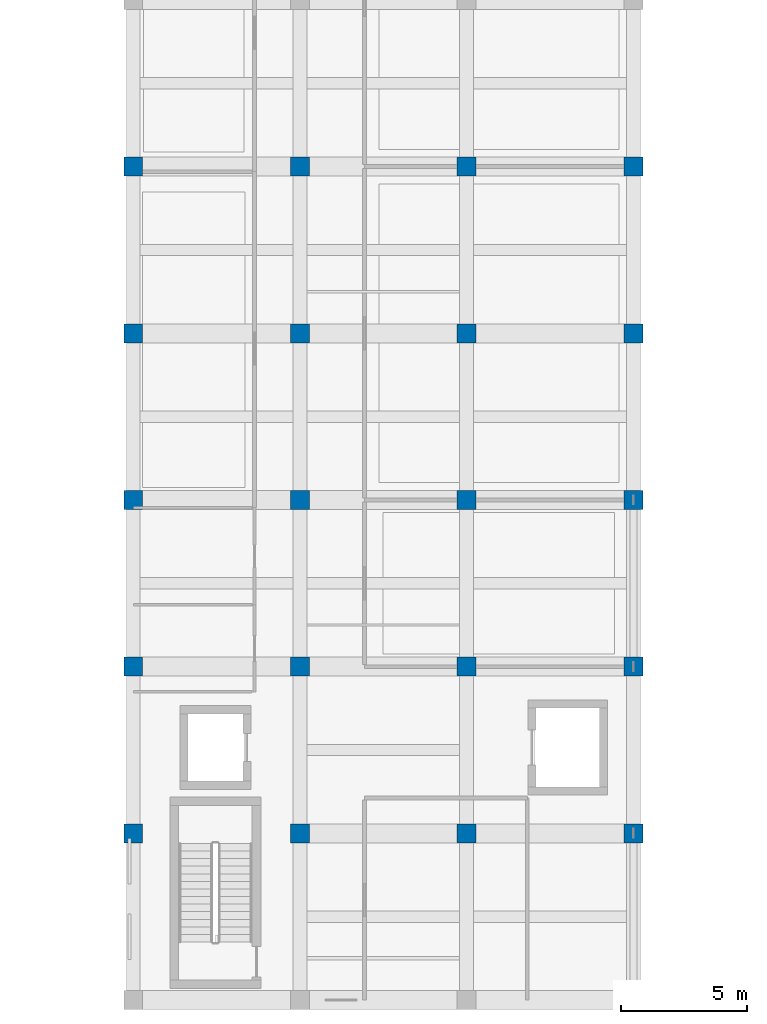
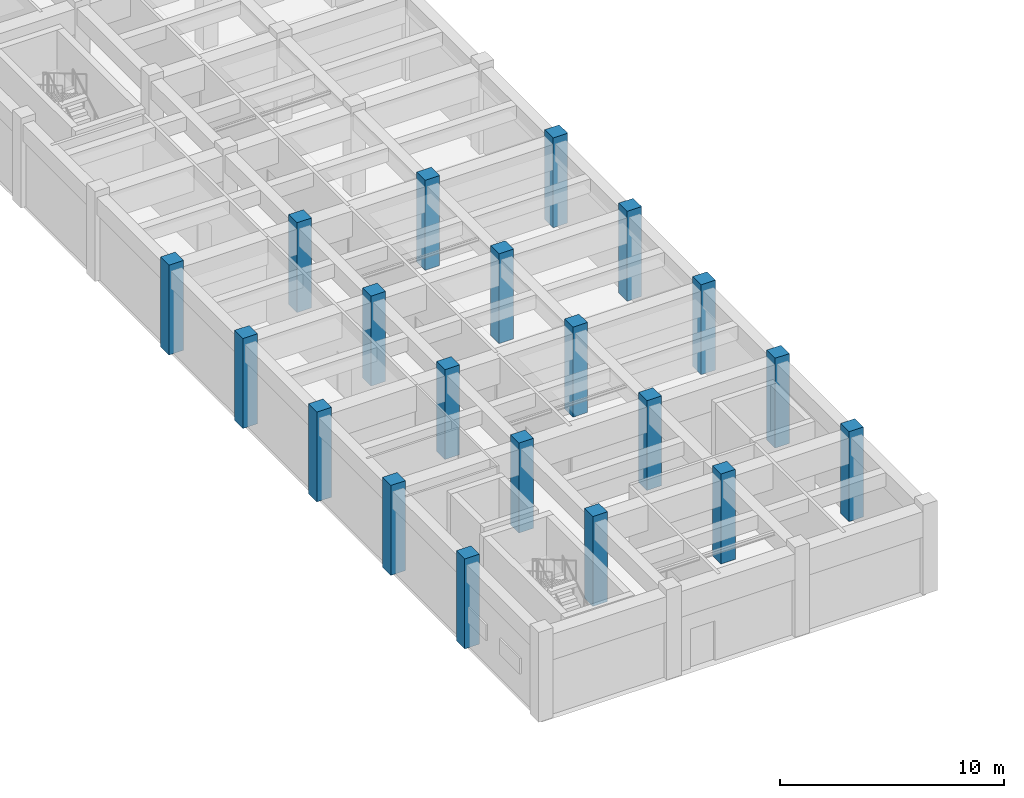
# One storey, part 14 of 144: 20 columns.
"""IFC4 building model written with IfcOpenShell, lengths in metres."""

import ifcopenshell
import ifcopenshell.guid

model = None  # the IFC model being written
_history = None  # IfcOwnerHistory: only IFC2X3 demands one
_inside = {}  # id of a spatial element -> (the spatial element, [elements in it])
_under = {}  # id of a project, library or spatial element -> (it, [spatial elements below it])
_declared = {}  # id of a project -> (the project, [libraries it declares])
_typed = {}  # id of a type object -> (the type object, [elements of that type])
_made_of = {}  # id of a material, layer set ... -> (it, [elements and type objects made of it])


def new_model(schema):
    """Start an empty IFC model of exactly this schema.

    Asked for "IFC4X3", IfcOpenShell would pick the latest addendum, in which some entities
    have other attributes; the version numbers below select the first issue.
    IFC2X3 requires an IfcOwnerHistory on every rooted entity: one is made here for all.
    """
    global model, _history
    if schema == "IFC4X3":
        model = ifcopenshell.file(schema_version=(4, 3, 0, 0))
    else:
        model = ifcopenshell.file(schema=schema)
    _inside.clear()
    _under.clear()
    _declared.clear()
    _typed.clear()
    _made_of.clear()
    _history = None
    if model.schema == "IFC2X3":
        org = make("IfcOrganization", Name="unknown")
        user = make(
            "IfcPersonAndOrganization",
            ThePerson=make("IfcPerson", FamilyName="unknown"),
            TheOrganization=org,
        )
        app = make(
            "IfcApplication",
            ApplicationDeveloper=org,
            Version="unknown",
            ApplicationFullName="unknown",
            ApplicationIdentifier="unknown",
        )
        _history = make(
            "IfcOwnerHistory",
            OwningUser=user,
            OwningApplication=app,
            ChangeAction="ADDED",
            CreationDate=0,
        )
    return model


def make(cls, **values):
    """One entity of the class cls with the attributes given. An attribute that is None is left unset."""
    return model.create_entity(
        cls, **{name: value for name, value in values.items() if value is not None}
    )


def rooted(cls, **values):
    """An entity with a GlobalId (a new one), such as an element, a storey or a relation."""
    return make(cls, GlobalId=ifcopenshell.guid.new(), OwnerHistory=_history, **values)


def si_unit(unit_type, name, prefix=None):
    """IfcSIUnit, for example si_unit("LENGTHUNIT", "METRE", prefix="MILLI")."""
    return make("IfcSIUnit", UnitType=unit_type, Prefix=prefix, Name=name)


def assignment(units):
    """IfcUnitAssignment: the units of a project."""
    return None if units is None else make("IfcUnitAssignment", Units=units)


def point(xyz):
    """IfcCartesianPoint."""
    return None if xyz is None else make("IfcCartesianPoint", Coordinates=xyz)


def direction(xyz):
    """IfcDirection."""
    return None if xyz is None else make("IfcDirection", DirectionRatios=xyz)


def frame(location, z_axis=None, x_axis=None):
    """IfcAxis2Placement3D, a coordinate frame: its origin and axes. An axis left out is left unset."""
    return make(
        "IfcAxis2Placement3D",
        Location=point(location),
        Axis=direction(z_axis),
        RefDirection=direction(x_axis),
    )


def frame_2d(location, x_axis=None):
    """IfcAxis2Placement2D, a coordinate frame in the plane: its origin and x axis."""
    return make(
        "IfcAxis2Placement2D", Location=point(location), RefDirection=direction(x_axis)
    )


def origin():
    """The frame at (0, 0, 0) with its axes left unset."""
    return frame((0.0, 0.0, 0.0))


def origin_2d():
    """The frame at (0, 0) in the plane with its x axis left unset."""
    return frame_2d((0.0, 0.0))


def place(relative_to, where):
    """IfcLocalPlacement: puts the frame where relative to a parent placement (None: the world)."""
    return make(
        "IfcLocalPlacement", PlacementRelTo=relative_to, RelativePlacement=where
    )


def context(
    kind, dimensions, precision=None, world=None, true_north=None, identifier=None
):
    """IfcGeometricRepresentationContext, for example the 3D "Model" context."""
    return make(
        "IfcGeometricRepresentationContext",
        ContextIdentifier=identifier,
        ContextType=kind,
        CoordinateSpaceDimension=dimensions,
        Precision=precision,
        WorldCoordinateSystem=world,
        TrueNorth=true_north,
    )


def subcontext(parent, identifier, kind, view, scale=None):
    """IfcGeometricRepresentationSubContext, for example "Body" below "Model"."""
    return make(
        "IfcGeometricRepresentationSubContext",
        ContextIdentifier=identifier,
        ContextType=kind,
        ParentContext=parent,
        TargetScale=scale,
        TargetView=view,
    )


def project(units=None, contexts=None):
    """IfcProject with its units and contexts."""
    return rooted(
        "IfcProject",
        Name="project",
        RepresentationContexts=contexts,
        UnitsInContext=assignment(units),
    )


def spatial(cls, under=None, at=None, **own):
    """A site, building, storey or space (cls), placed at a placement, below another one or the project."""
    s = rooted(cls, ObjectPlacement=at, **own)
    if under is not None:
        _under.setdefault(under.id(), (under, []))[1].append(s)
    return s


def profile(cls, at=None, kind="AREA", **sizes):
    """A parametric profile (cls). Its sizes go by their IFC names, for example OverallWidth=200.0."""
    return make(cls, ProfileType=kind, Position=at, **sizes)


def rectangle(**sizes):
    """IfcRectangleProfileDef."""
    return profile("IfcRectangleProfileDef", **sizes)


def extrude(swept, where, along, depth):
    """IfcExtrudedAreaSolid: the profile swept, set in the frame where, extruded along a direction by depth."""
    return make(
        "IfcExtrudedAreaSolid",
        SweptArea=swept,
        Position=where,
        ExtrudedDirection=direction(along),
        Depth=depth,
    )


def shape(context_of_items, identifier, shape_type, items):
    """IfcShapeRepresentation: the items that make up one representation, for example the "Body"."""
    return make(
        "IfcShapeRepresentation",
        ContextOfItems=context_of_items,
        RepresentationIdentifier=identifier,
        RepresentationType=shape_type,
        Items=items,
    )


def material(Name=None, Category=None):
    """IfcMaterial."""
    return make("IfcMaterial", Name=Name, Category=Category)


def material_profile(
    of_material, cross_section, Name=None, Category=None, Priority=None
):
    """IfcMaterialProfile: a cross section and its material."""
    return make(
        "IfcMaterialProfile",
        Name=Name,
        Material=of_material,
        Profile=cross_section,
        Priority=Priority,
        Category=Category,
    )


def profile_set(profiles, Name=None, composite=None):
    """IfcMaterialProfileSet."""
    return make(
        "IfcMaterialProfileSet",
        Name=Name,
        MaterialProfiles=profiles,
        CompositeProfile=composite,
    )


def made_of(thing, what):
    """Note that an element or type object is made of a material, layer set ...; save() writes the relation."""
    if what is not None:
        _made_of.setdefault(what.id(), (what, []))[1].append(thing)
    return thing


def type_object(cls, material=None, **own):
    """A type object (cls), such as IfcWallType, which elements share."""
    return made_of(rooted(cls, **own), material)


def element(
    cls,
    number,
    at=None,
    inside=None,
    cuts=None,
    type_object=None,
    material=None,
    context=None,
    identifier="Body",
    shape_type=None,
    held_by="IfcProductDefinitionShape",
    body=None,
    shapes=None,
    **own,
):
    """One element of the class cls, such as IfcWall. Its Tag is "e" and its number.

    at: its placement. inside: the storey or other place that contains it. cuts: it is an
    opening in that element (IfcRelVoidsElement). A single representation is given by context,
    identifier, shape_type and body (its items); several are given by shapes. held_by: the class
    of the entity that holds the representations. save() writes the other relations.
    """
    e = rooted(cls, Tag="e%d" % number, ObjectPlacement=at, **own)
    if body is not None:
        shapes = [shape(context, identifier, shape_type, body)]
    if shapes is not None:
        e.Representation = make(held_by, Representations=shapes)
    if inside is not None:
        _inside.setdefault(inside.id(), (inside, []))[1].append(e)
    if cuts is not None:
        rooted(
            "IfcRelVoidsElement", RelatingBuildingElement=cuts, RelatedOpeningElement=e
        )
    if type_object is not None:
        _typed.setdefault(type_object.id(), (type_object, []))[1].append(e)
    return made_of(e, material)


def aggregate(whole, parts):
    """IfcRelAggregates: a whole, such as a stair, and the parts it consists of."""
    return rooted("IfcRelAggregates", RelatingObject=whole, RelatedObjects=parts)


def save(model, path):
    """Write the relations noted so far, then the file.

    IfcRelAggregates (storeys below a building ...), IfcRelContainedInSpatialStructure (elements
    in a storey), IfcRelDefinesByType, IfcRelAssociatesMaterial and IfcRelDeclares: one each for
    every whole, place, type object, material and project.
    """
    for whole, parts in _under.values():
        aggregate(whole, parts)
    for where, things in _inside.values():
        rooted(
            "IfcRelContainedInSpatialStructure",
            RelatedElements=things,
            RelatingStructure=where,
        )
    for kind, things in _typed.values():
        rooted("IfcRelDefinesByType", RelatedObjects=things, RelatingType=kind)
    for what, things in _made_of.values():
        rooted("IfcRelAssociatesMaterial", RelatedObjects=things, RelatingMaterial=what)
    for by, libraries in _declared.values():
        rooted("IfcRelDeclares", RelatingContext=by, RelatedDefinitions=libraries)
    model.write(path)


model = new_model("IFC4")

# Units and contexts
model_context = context("Model", 3, precision=1e-05, world=origin(), true_north=direction((0.0, 1.0)))
body_context = subcontext(model_context, "Body", "Model", "MODEL_VIEW")
ifc_project = project(units=[si_unit("LENGTHUNIT", "METRE"), si_unit("AREAUNIT", "SQUARE_METRE"), si_unit("VOLUMEUNIT", "CUBIC_METRE"), si_unit("PLANEANGLEUNIT", "RADIAN"), si_unit("MASSUNIT", "GRAM", prefix="KILO")], contexts=[model_context])

# Site, building, storey
site_placement = place(None, origin())
site = spatial("IfcSite", under=ifc_project, at=site_placement, CompositionType="ELEMENT")
building_placement = place(site_placement, origin())
building = spatial("IfcBuilding", under=site, at=building_placement, Name="Karori Crest Natural Sciences Institute", CompositionType="ELEMENT")
storey_placement = place(building_placement, origin())
storey = spatial("IfcBuildingStorey", under=building, at=storey_placement, Name="L00", CompositionType="ELEMENT", Elevation=0.0)

# Columns
ifc_material = material(Name="Concrete 50 MPa", Category="concrete")
ifc_material_profile_1 = material_profile(ifc_material, rectangle(XDim=0.75, YDim=0.75, at=origin_2d()), Name="RC750x750")
ifc_profile_set_1 = profile_set([ifc_material_profile_1], Name="Concrete 50 MPa")
column_type_1 = type_object("IfcColumnType", Name="CT-18", PredefinedType="COLUMN", material=ifc_profile_set_1)
for number, where, z_axis, x_axis, name in (
    (1, (7.39990234375, 101.60009765625, 0.0), (0.0, 0.0, 1.0), (1.0, 0.0, 0.0), "Column C-0718"),
    (2, (7.39990234375, 108.199951171875, 0.0), (0.0, 0.0, 1.0), (1.0, 0.0, 0.0), "Column C-0726"),
    (3, (7.39990234375, 114.800048828125, 0.0), (0.0, 0.0, 1.0), (1.0, 0.0, 0.0), "Column C-0734"),
    (4, (7.39990234375, 121.39990234375, 0.0), (0.0, 0.0, 1.0), (1.0, 0.0, 0.0), "Column C-0742"),
    (5, (7.39990234375, 128.0, 0.0), (0.0, 0.0, 1.0), (1.0, 0.0, 0.0), "Column C-0749"),
    (6, (27.199951171875, 101.60009765625, 0.0), (0.0, 0.0, 1.0), (1.0, 0.0, 0.0), "Column C-0949"),
    (7, (27.199951171875, 108.199951171875, 0.0), (0.0, 0.0, 1.0), (1.0, 0.0, 0.0), "Column C-0957"),
    (8, (27.199951171875, 114.800048828125, 0.0), (0.0, 0.0, 1.0), (1.0, 0.0, 0.0), "Column C-0965"),
    (9, (27.199951171875, 121.39990234375, 0.0), (0.0, 0.0, 1.0), (1.0, 0.0, 0.0), "Column C-0973"),
    (10, (27.199951171875, 128.0, 0.0), (0.0, 0.0, 1.0), (1.0, 0.0, 0.0), "Column C-0980"),
):
    element("IfcColumn", number, at=place(storey_placement, frame(where, z_axis=z_axis, x_axis=x_axis)), inside=storey, type_object=column_type_1, Name=name, PredefinedType="COLUMN", context=body_context, shape_type="SweptSolid", body=[
        extrude(rectangle(XDim=0.75, YDim=0.75, at=origin_2d()), origin(), (0.0, 0.0, 1.0), 4.89990234375),
    ])
ifc_material_profile_2 = material_profile(ifc_material, rectangle(XDim=0.75, YDim=0.75, at=origin_2d()), Name="RC750x750")
ifc_profile_set_2 = profile_set([ifc_material_profile_2], Name="Concrete 50 MPa")
column_type_2 = type_object("IfcColumnType", Name="CT-18-IL", PredefinedType="COLUMN", material=ifc_profile_set_2)
for number, where, z_axis, x_axis, name in (
    (11, (14.0, 101.60009765625, 0.0), (0.0, 0.0, 1.0), (1.0, 0.0, 0.0), "Column C-0795"),
    (12, (14.0, 108.199951171875, 0.0), (0.0, 0.0, 1.0), (1.0, 0.0, 0.0), "Column C-0803"),
    (13, (14.0, 114.800048828125, 0.0), (0.0, 0.0, 1.0), (1.0, 0.0, 0.0), "Column C-0811"),
    (14, (14.0, 121.39990234375, 0.0), (0.0, 0.0, 1.0), (1.0, 0.0, 0.0), "Column C-0819"),
    (15, (14.0, 128.0, 0.0), (0.0, 0.0, 1.0), (1.0, 0.0, 0.0), "Column C-0826"),
    (16, (20.60009765625, 101.60009765625, 0.0), (0.0, 0.0, 1.0), (1.0, 0.0, 0.0), "Column C-0872"),
    (17, (20.60009765625, 108.199951171875, 0.0), (0.0, 0.0, 1.0), (1.0, 0.0, 0.0), "Column C-0880"),
    (18, (20.60009765625, 114.800048828125, 0.0), (0.0, 0.0, 1.0), (1.0, 0.0, 0.0), "Column C-0888"),
    (19, (20.60009765625, 121.39990234375, 0.0), (0.0, 0.0, 1.0), (1.0, 0.0, 0.0), "Column C-0896"),
    (20, (20.60009765625, 128.0, 0.0), (0.0, 0.0, 1.0), (1.0, 0.0, 0.0), "Column C-0903"),
):
    element("IfcColumn", number, at=place(storey_placement, frame(where, z_axis=z_axis, x_axis=x_axis)), inside=storey, type_object=column_type_2, Name=name, PredefinedType="COLUMN", context=body_context, shape_type="SweptSolid", body=[
        extrude(rectangle(XDim=0.75, YDim=0.75, at=origin_2d()), origin(), (0.0, 0.0, 1.0), 4.89990234375),
    ])

save(model, "model.ifc")
